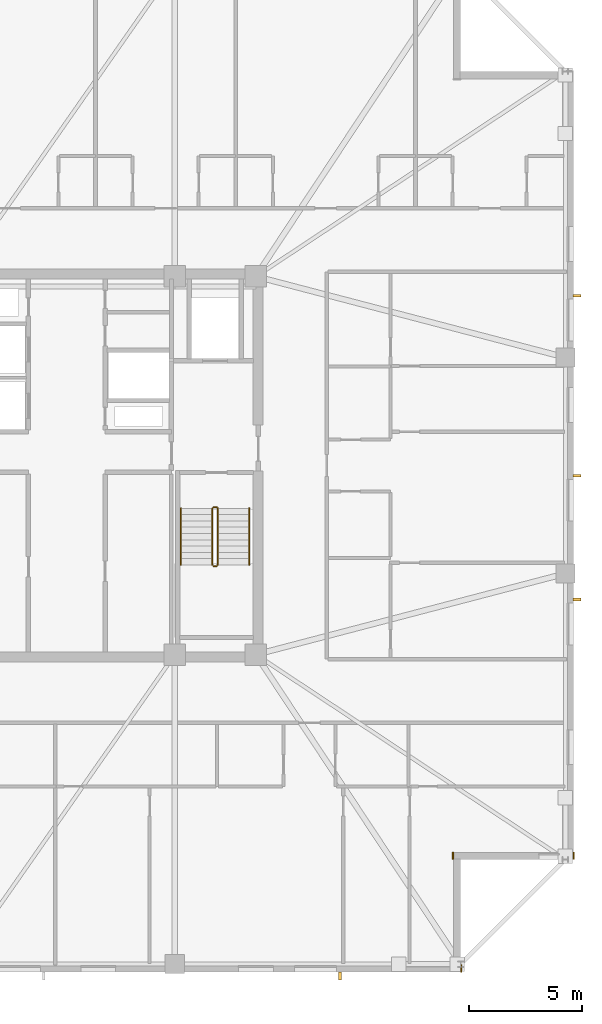
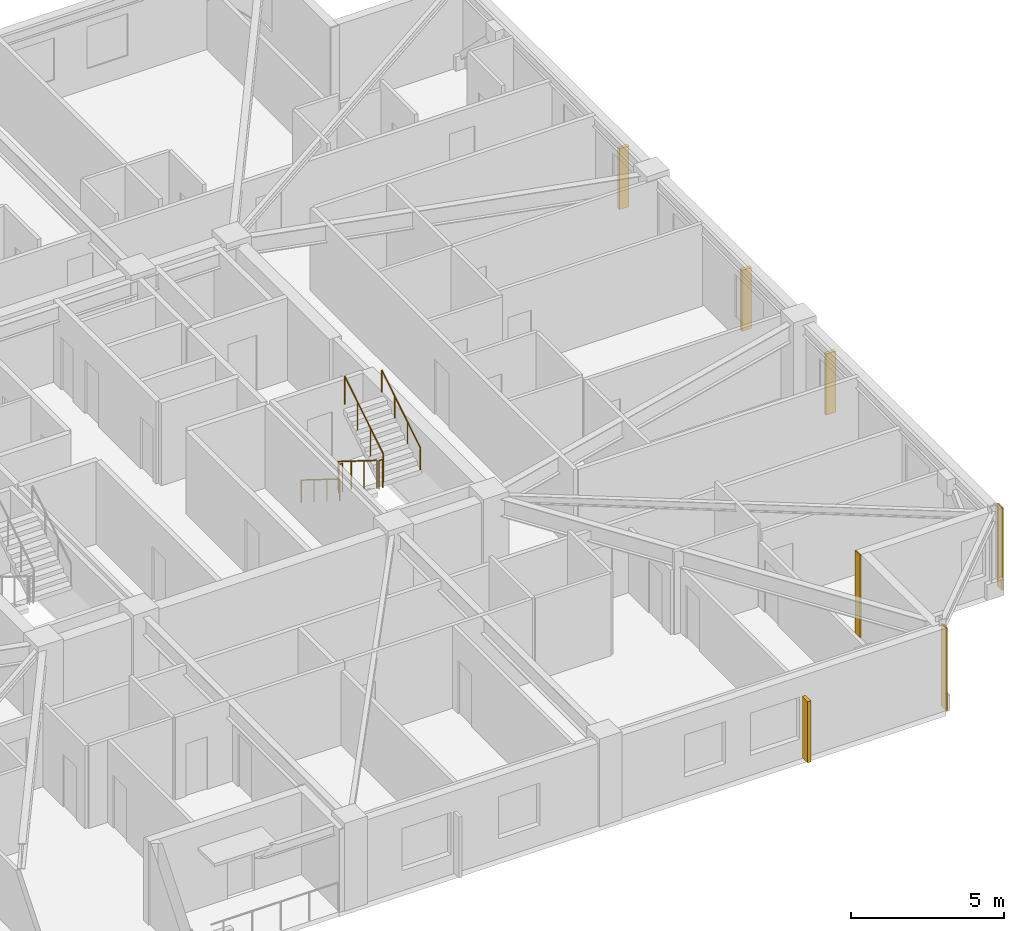
# One storey, part 13 of 15: 6 railings, 4 shading devices, 3 coverings.
"""IFC4 building model written with IfcOpenShell, lengths in metres."""

import ifcopenshell
import ifcopenshell.guid

model = None  # the IFC model being written
_history = None  # IfcOwnerHistory: only IFC2X3 demands one
_inside = {}  # id of a spatial element -> (the spatial element, [elements in it])
_under = {}  # id of a project, library or spatial element -> (it, [spatial elements below it])
_declared = {}  # id of a project -> (the project, [libraries it declares])
_typed = {}  # id of a type object -> (the type object, [elements of that type])
_made_of = {}  # id of a material, layer set ... -> (it, [elements and type objects made of it])


def new_model(schema):
    """Start an empty IFC model of exactly this schema.

    Asked for "IFC4X3", IfcOpenShell would pick the latest addendum, in which some entities
    have other attributes; the version numbers below select the first issue.
    IFC2X3 requires an IfcOwnerHistory on every rooted entity: one is made here for all.
    """
    global model, _history
    if schema == "IFC4X3":
        model = ifcopenshell.file(schema_version=(4, 3, 0, 0))
    else:
        model = ifcopenshell.file(schema=schema)
    _inside.clear()
    _under.clear()
    _declared.clear()
    _typed.clear()
    _made_of.clear()
    _history = None
    if model.schema == "IFC2X3":
        org = make("IfcOrganization", Name="unknown")
        user = make(
            "IfcPersonAndOrganization",
            ThePerson=make("IfcPerson", FamilyName="unknown"),
            TheOrganization=org,
        )
        app = make(
            "IfcApplication",
            ApplicationDeveloper=org,
            Version="unknown",
            ApplicationFullName="unknown",
            ApplicationIdentifier="unknown",
        )
        _history = make(
            "IfcOwnerHistory",
            OwningUser=user,
            OwningApplication=app,
            ChangeAction="ADDED",
            CreationDate=0,
        )
    return model


def make(cls, **values):
    """One entity of the class cls with the attributes given. An attribute that is None is left unset."""
    return model.create_entity(
        cls, **{name: value for name, value in values.items() if value is not None}
    )


def rooted(cls, **values):
    """An entity with a GlobalId (a new one), such as an element, a storey or a relation."""
    return make(cls, GlobalId=ifcopenshell.guid.new(), OwnerHistory=_history, **values)


def si_unit(unit_type, name, prefix=None):
    """IfcSIUnit, for example si_unit("LENGTHUNIT", "METRE", prefix="MILLI")."""
    return make("IfcSIUnit", UnitType=unit_type, Prefix=prefix, Name=name)


def assignment(units):
    """IfcUnitAssignment: the units of a project."""
    return None if units is None else make("IfcUnitAssignment", Units=units)


def point(xyz):
    """IfcCartesianPoint."""
    return None if xyz is None else make("IfcCartesianPoint", Coordinates=xyz)


def direction(xyz):
    """IfcDirection."""
    return None if xyz is None else make("IfcDirection", DirectionRatios=xyz)


def frame(location, z_axis=None, x_axis=None):
    """IfcAxis2Placement3D, a coordinate frame: its origin and axes. An axis left out is left unset."""
    return make(
        "IfcAxis2Placement3D",
        Location=point(location),
        Axis=direction(z_axis),
        RefDirection=direction(x_axis),
    )


def frame_2d(location, x_axis=None):
    """IfcAxis2Placement2D, a coordinate frame in the plane: its origin and x axis."""
    return make(
        "IfcAxis2Placement2D", Location=point(location), RefDirection=direction(x_axis)
    )


def origin():
    """The frame at (0, 0, 0) with its axes left unset."""
    return frame((0.0, 0.0, 0.0))


def origin_2d():
    """The frame at (0, 0) in the plane with its x axis left unset."""
    return frame_2d((0.0, 0.0))


def place(relative_to, where):
    """IfcLocalPlacement: puts the frame where relative to a parent placement (None: the world)."""
    return make(
        "IfcLocalPlacement", PlacementRelTo=relative_to, RelativePlacement=where
    )


def context(
    kind, dimensions, precision=None, world=None, true_north=None, identifier=None
):
    """IfcGeometricRepresentationContext, for example the 3D "Model" context."""
    return make(
        "IfcGeometricRepresentationContext",
        ContextIdentifier=identifier,
        ContextType=kind,
        CoordinateSpaceDimension=dimensions,
        Precision=precision,
        WorldCoordinateSystem=world,
        TrueNorth=true_north,
    )


def subcontext(parent, identifier, kind, view, scale=None):
    """IfcGeometricRepresentationSubContext, for example "Body" below "Model"."""
    return make(
        "IfcGeometricRepresentationSubContext",
        ContextIdentifier=identifier,
        ContextType=kind,
        ParentContext=parent,
        TargetScale=scale,
        TargetView=view,
    )


def project(units=None, contexts=None):
    """IfcProject with its units and contexts."""
    return rooted(
        "IfcProject",
        Name="project",
        RepresentationContexts=contexts,
        UnitsInContext=assignment(units),
    )


def spatial(cls, under=None, at=None, **own):
    """A site, building, storey or space (cls), placed at a placement, below another one or the project."""
    s = rooted(cls, ObjectPlacement=at, **own)
    if under is not None:
        _under.setdefault(under.id(), (under, []))[1].append(s)
    return s


def profile(cls, at=None, kind="AREA", **sizes):
    """A parametric profile (cls). Its sizes go by their IFC names, for example OverallWidth=200.0."""
    return make(cls, ProfileType=kind, Position=at, **sizes)


def rectangle(**sizes):
    """IfcRectangleProfileDef."""
    return profile("IfcRectangleProfileDef", **sizes)


def circle(**sizes):
    """IfcCircleProfileDef."""
    return profile("IfcCircleProfileDef", **sizes)


def extrude(swept, where, along, depth):
    """IfcExtrudedAreaSolid: the profile swept, set in the frame where, extruded along a direction by depth."""
    return make(
        "IfcExtrudedAreaSolid",
        SweptArea=swept,
        Position=where,
        ExtrudedDirection=direction(along),
        Depth=depth,
    )


def shape(context_of_items, identifier, shape_type, items):
    """IfcShapeRepresentation: the items that make up one representation, for example the "Body"."""
    return make(
        "IfcShapeRepresentation",
        ContextOfItems=context_of_items,
        RepresentationIdentifier=identifier,
        RepresentationType=shape_type,
        Items=items,
    )


def material(Name=None, Category=None):
    """IfcMaterial."""
    return make("IfcMaterial", Name=Name, Category=Category)


def layer(
    of_material, thickness, ventilated=None, Name=None, Category=None, Priority=None
):
    """IfcMaterialLayer: one layer of a wall or slab, of a material (None: an air gap)."""
    return make(
        "IfcMaterialLayer",
        Material=of_material,
        LayerThickness=thickness,
        IsVentilated=ventilated,
        Name=Name,
        Category=Category,
        Priority=Priority,
    )


def layer_set(layers, Name=None):
    """IfcMaterialLayerSet."""
    return make("IfcMaterialLayerSet", MaterialLayers=layers, LayerSetName=Name)


def made_of(thing, what):
    """Note that an element or type object is made of a material, layer set ...; save() writes the relation."""
    if what is not None:
        _made_of.setdefault(what.id(), (what, []))[1].append(thing)
    return thing


def type_object(cls, material=None, **own):
    """A type object (cls), such as IfcWallType, which elements share."""
    return made_of(rooted(cls, **own), material)


def element(
    cls,
    number,
    at=None,
    inside=None,
    cuts=None,
    type_object=None,
    material=None,
    context=None,
    identifier="Body",
    shape_type=None,
    held_by="IfcProductDefinitionShape",
    body=None,
    shapes=None,
    **own,
):
    """One element of the class cls, such as IfcWall. Its Tag is "e" and its number.

    at: its placement. inside: the storey or other place that contains it. cuts: it is an
    opening in that element (IfcRelVoidsElement). A single representation is given by context,
    identifier, shape_type and body (its items); several are given by shapes. held_by: the class
    of the entity that holds the representations. save() writes the other relations.
    """
    e = rooted(cls, Tag="e%d" % number, ObjectPlacement=at, **own)
    if body is not None:
        shapes = [shape(context, identifier, shape_type, body)]
    if shapes is not None:
        e.Representation = make(held_by, Representations=shapes)
    if inside is not None:
        _inside.setdefault(inside.id(), (inside, []))[1].append(e)
    if cuts is not None:
        rooted(
            "IfcRelVoidsElement", RelatingBuildingElement=cuts, RelatedOpeningElement=e
        )
    if type_object is not None:
        _typed.setdefault(type_object.id(), (type_object, []))[1].append(e)
    return made_of(e, material)


def aggregate(whole, parts):
    """IfcRelAggregates: a whole, such as a stair, and the parts it consists of."""
    return rooted("IfcRelAggregates", RelatingObject=whole, RelatedObjects=parts)


def save(model, path):
    """Write the relations noted so far, then the file.

    IfcRelAggregates (storeys below a building ...), IfcRelContainedInSpatialStructure (elements
    in a storey), IfcRelDefinesByType, IfcRelAssociatesMaterial and IfcRelDeclares: one each for
    every whole, place, type object, material and project.
    """
    for whole, parts in _under.values():
        aggregate(whole, parts)
    for where, things in _inside.values():
        rooted(
            "IfcRelContainedInSpatialStructure",
            RelatedElements=things,
            RelatingStructure=where,
        )
    for kind, things in _typed.values():
        rooted("IfcRelDefinesByType", RelatedObjects=things, RelatingType=kind)
    for what, things in _made_of.values():
        rooted("IfcRelAssociatesMaterial", RelatedObjects=things, RelatingMaterial=what)
    for by, libraries in _declared.values():
        rooted("IfcRelDeclares", RelatingContext=by, RelatedDefinitions=libraries)
    model.write(path)


model = new_model("IFC4")

# Units and contexts
model_context = context("Model", 3, precision=1e-05, world=origin(), true_north=direction((0.0, 1.0)))
body_context = subcontext(model_context, "Body", "Model", "MODEL_VIEW")
ifc_project = project(units=[si_unit("LENGTHUNIT", "METRE"), si_unit("AREAUNIT", "SQUARE_METRE"), si_unit("VOLUMEUNIT", "CUBIC_METRE"), si_unit("PLANEANGLEUNIT", "RADIAN"), si_unit("MASSUNIT", "GRAM", prefix="KILO")], contexts=[model_context])

# Site, building, storey
site_placement = place(None, origin())
site = spatial("IfcSite", under=ifc_project, at=site_placement, CompositionType="ELEMENT")
building_placement = place(site_placement, origin())
building = spatial("IfcBuilding", under=site, at=building_placement, Name="Cairnveth Concourse Tower", CompositionType="ELEMENT")
storey_placement = place(building_placement, frame((0.0, 0.0, 265.5)))
storey = spatial("IfcBuildingStorey", under=building, at=storey_placement, Name="L73", CompositionType="ELEMENT", Elevation=265.5)

# Coverings
ifc_material_1 = material(Name="Dressed Melbourne Bluestone Cladding", Category="masonry")
ifc_layer = layer(ifc_material_1, 0.050048828125)
ifc_layer_set = layer_set([ifc_layer], Name="Dressed Melbourne Bluestone Cladding")
covering_type = type_object("IfcCoveringType", Name="DRESSED BLUESTONE PLINTH CLADDING 50", PredefinedType="CLADDING", material=ifc_layer_set)
for number, where, z_axis, x_axis, name in (
    (1, (74.52001953125, 21.820068359375, 0.0), (0.0, 0.0, 1.0), (0.0, -1.0, 0.0), "Melbourne Bluestone Corner Quoin L73-1113"),
    (2, (69.159912109375, 21.820068359375, 0.0), (0.0, 0.0, 1.0), (0.0, -1.0, 0.0), "Melbourne Bluestone Corner Quoin L73-1114"),
    (3, (69.52001953125, 16.820068359375, 0.0), (0.0, 0.0, 1.0), (0.0, -1.0, 0.0), "Melbourne Bluestone Corner Quoin L73-1115"),
):
    element("IfcCovering", number, at=place(storey_placement, frame(where, z_axis=z_axis, x_axis=x_axis)), inside=storey, type_object=covering_type, Name=name, PredefinedType="CLADDING", context=body_context, shape_type="SweptSolid", body=[
        extrude(rectangle(XDim=0.320068359375, YDim=0.050048828125, at=frame_2d((0.16015625, 0.0))), origin(), (0.0, 0.0, 1.0), 3.2900390625),
    ])

# Shading devices
ifc_material_2 = material(Name="Architectural Bronze Anodised Aluminium 6063-T6", Category="aluminium")
shading_device_type = type_object("IfcShadingDeviceType", Name="GOTHIC BRONZE VERTICAL LANCET FIN", PredefinedType="USERDEFINED", material=ifc_material_2)
for number, where, z_axis, x_axis, name in (
    (4, (74.675048828125, 46.546875, 0.030029296875), (0.0, 0.0, 1.0), (0.0, 1.0, 0.0), "Gothic Bronze Vertical Fin L73-9-3"),
    (5, (74.675048828125, 38.54638671875, 0.030029296875), (0.0, 0.0, 1.0), (0.0, 1.0, 0.0), "Gothic Bronze Vertical Fin L73-9-5"),
    (6, (74.675048828125, 33.0458984375, 0.030029296875), (0.0, 0.0, 1.0), (0.0, 1.0, 0.0), "Gothic Bronze Vertical Fin L73-9-7"),
    (7, (64.134765625, 16.324951171875, 0.030029296875), (0.0, 0.0, 1.0), (1.0, 0.0, 0.0), "Gothic Bronze Vertical Fin L73-12-1"),
):
    element("IfcShadingDevice", number, at=place(storey_placement, frame(where, z_axis=z_axis, x_axis=x_axis)), inside=storey, type_object=shading_device_type, Name=name, ObjectType="VERTICAL FIN", PredefinedType="USERDEFINED", context=body_context, shape_type="SweptSolid", body=[
        extrude(rectangle(XDim=0.1201171875, YDim=0.360107421875, at=origin_2d()), origin(), (0.0, 0.0, 1.0), 2.43798828125),
    ])

# Railings
ifc_material_3 = material(Name="Steel Grade 350", Category="steel")
railing_type_1 = type_object("IfcRailingType", Name="STAIR GUARDRAIL 1150", PredefinedType="GUARDRAIL", material=ifc_material_3)
railing_1_placement = place(storey_placement, frame((58.469970703125, 37.10009765625, 0.175048828125)))
element("IfcRailing", 8, at=railing_1_placement, inside=storey, type_object=railing_type_1, Name="L73 ST-2 stair guard 1", PredefinedType="GUARDRAIL", context=body_context, shape_type="SweptSolid", body=[
    extrude(circle(Radius=0.02392578125, at=origin_2d()), frame((0.0, 0.0, 1.1259765625), z_axis=(0.0, -0.848007534815, 0.529984170421), x_axis=(1.0, 0.0, 0.0)), (0.0, 0.0, 1.0), 2.9716796875),
    extrude(circle(Radius=0.02099609375, at=origin_2d()), origin(), (0.0, 0.0, 1.0), 1.101806640625),
    extrude(circle(Radius=0.02099609375, at=origin_2d()), frame((0.0, -0.840087890625, 0.52490234375)), (0.0, 0.0, 1.0), 1.101806640625),
    extrude(circle(Radius=0.02099609375, at=origin_2d()), frame((0.0, -1.679931640625, 1.050048828125)), (0.0, 0.0, 1.0), 1.101806640625),
    extrude(circle(Radius=0.02099609375, at=origin_2d()), frame((0.0, -2.52001953125, 1.574951171875)), (0.0, 0.0, 1.0), 1.101806640625),
])
railing_2_placement = place(storey_placement, frame((58.52001953125, 34.530029296875, 1.75)))
element("IfcRailing", 9, at=railing_2_placement, inside=storey, type_object=railing_type_1, Name="L73 ST-2 stair guard 2", PredefinedType="GUARDRAIL", context=body_context, shape_type="SweptSolid", body=[
    extrude(circle(Radius=0.02392578125, at=origin_2d()), frame((0.0, 0.0, 1.1259765625), z_axis=(1.0, 0.0, 0.0), x_axis=(0.0, 1.0, 0.0)), (0.0, 0.0, 1.0), 0.139892578125),
    extrude(circle(Radius=0.02099609375, at=origin_2d()), origin(), (0.0, 0.0, 1.0), 1.101806640625),
    extrude(circle(Radius=0.02099609375, at=origin_2d()), frame((0.139892578125, 0.0, 0.0)), (0.0, 0.0, 1.0), 1.101806640625),
])
railing_3_placement = place(storey_placement, frame((58.7099609375, 34.580078125, 1.925048828125)))
element("IfcRailing", 10, at=railing_3_placement, inside=storey, type_object=railing_type_1, Name="L73 ST-2 stair guard 3", PredefinedType="GUARDRAIL", context=body_context, shape_type="SweptSolid", body=[
    extrude(circle(Radius=0.02392578125, at=origin_2d()), frame((0.0, 0.0, 1.1259765625), z_axis=(0.0, 0.848007534815, 0.529984170421), x_axis=(-1.0, 0.0, 0.0)), (0.0, 0.0, 1.0), 2.9716796875),
    extrude(circle(Radius=0.02099609375, at=origin_2d()), origin(), (0.0, 0.0, 1.0), 1.101806640625),
    extrude(circle(Radius=0.02099609375, at=origin_2d()), frame((0.0, 0.840087890625, 0.52490234375)), (0.0, 0.0, 1.0), 1.101806640625),
    extrude(circle(Radius=0.02099609375, at=origin_2d()), frame((0.0, 1.679931640625, 1.050048828125)), (0.0, 0.0, 1.0), 1.101806640625),
    extrude(circle(Radius=0.02099609375, at=origin_2d()), frame((0.0, 2.52001953125, 1.574951171875)), (0.0, 0.0, 1.0), 1.101806640625),
])
railing_4_placement = place(storey_placement, frame((58.52001953125, 37.14990234375, 0.0)))
element("IfcRailing", 11, at=railing_4_placement, inside=storey, type_object=railing_type_1, Name="L73 ST-2 stair guard 4", PredefinedType="GUARDRAIL", context=body_context, shape_type="SweptSolid", body=[
    extrude(circle(Radius=0.02392578125, at=origin_2d()), frame((0.0, 0.0, 1.1259765625), z_axis=(1.0, 0.0, 0.0), x_axis=(0.0, 1.0, 0.0)), (0.0, 0.0, 1.0), 0.139892578125),
    extrude(circle(Radius=0.02099609375, at=origin_2d()), origin(), (0.0, 0.0, 1.0), 1.101806640625),
    extrude(circle(Radius=0.02099609375, at=origin_2d()), frame((0.139892578125, 0.0, 0.0)), (0.0, 0.0, 1.0), 1.101806640625),
])
railing_type_2 = type_object("IfcRailingType", Name="STAIR WALL HANDRAIL 900", PredefinedType="HANDRAIL", material=ifc_material_3)
railing_5_placement = place(storey_placement, frame((57.070068359375, 37.10009765625, 0.175048828125)))
element("IfcRailing", 12, at=railing_5_placement, inside=storey, type_object=railing_type_2, Name="L73 ST-2 stair handrail 1", PredefinedType="HANDRAIL", context=body_context, shape_type="SweptSolid", body=[
    extrude(circle(Radius=0.02392578125, at=origin_2d()), frame((0.0, 0.0, 0.8759765625), z_axis=(0.0, -0.848007534815, 0.529984170421), x_axis=(1.0, 0.0, 0.0)), (0.0, 0.0, 1.0), 2.9716796875),
    extrude(circle(Radius=0.02099609375, at=origin_2d()), origin(), (0.0, 0.0, 1.0), 0.851806640625),
    extrude(circle(Radius=0.02099609375, at=origin_2d()), frame((0.0, -0.840087890625, 0.52490234375)), (0.0, 0.0, 1.0), 0.851806640625),
    extrude(circle(Radius=0.02099609375, at=origin_2d()), frame((0.0, -1.679931640625, 1.050048828125)), (0.0, 0.0, 1.0), 0.851806640625),
    extrude(circle(Radius=0.02099609375, at=origin_2d()), frame((0.0, -2.52001953125, 1.574951171875)), (0.0, 0.0, 1.0), 0.851806640625),
])
railing_6_placement = place(storey_placement, frame((60.110107421875, 34.580078125, 1.925048828125)))
element("IfcRailing", 13, at=railing_6_placement, inside=storey, type_object=railing_type_2, Name="L73 ST-2 stair handrail 2", PredefinedType="HANDRAIL", context=body_context, shape_type="SweptSolid", body=[
    extrude(circle(Radius=0.02392578125, at=origin_2d()), frame((0.0, 0.0, 0.8759765625), z_axis=(0.0, 0.848007534815, 0.529984170421), x_axis=(-1.0, 0.0, 0.0)), (0.0, 0.0, 1.0), 2.9716796875),
    extrude(circle(Radius=0.02099609375, at=origin_2d()), origin(), (0.0, 0.0, 1.0), 0.851806640625),
    extrude(circle(Radius=0.02099609375, at=origin_2d()), frame((0.0, 0.840087890625, 0.52490234375)), (0.0, 0.0, 1.0), 0.851806640625),
    extrude(circle(Radius=0.02099609375, at=origin_2d()), frame((0.0, 1.679931640625, 1.050048828125)), (0.0, 0.0, 1.0), 0.851806640625),
    extrude(circle(Radius=0.02099609375, at=origin_2d()), frame((0.0, 2.52001953125, 1.574951171875)), (0.0, 0.0, 1.0), 0.851806640625),
])

save(model, "model.ifc")
